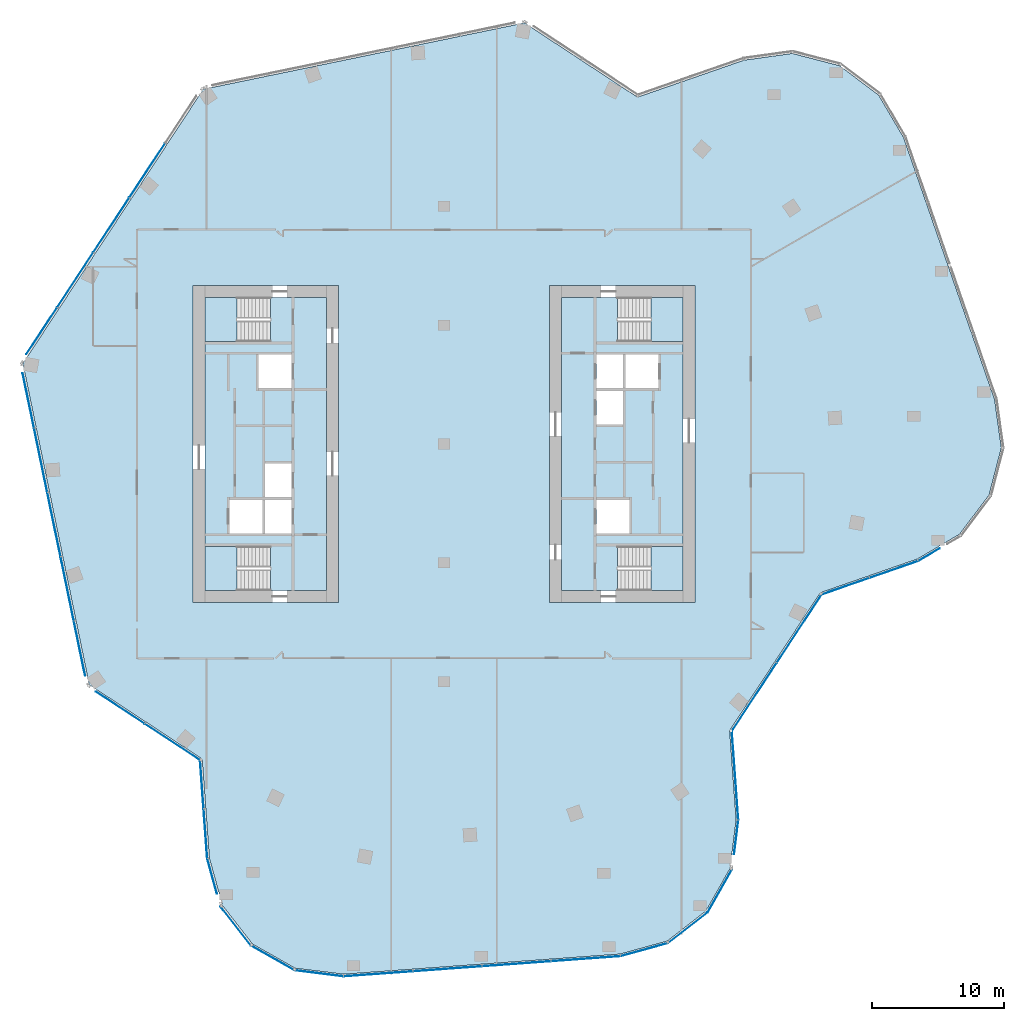
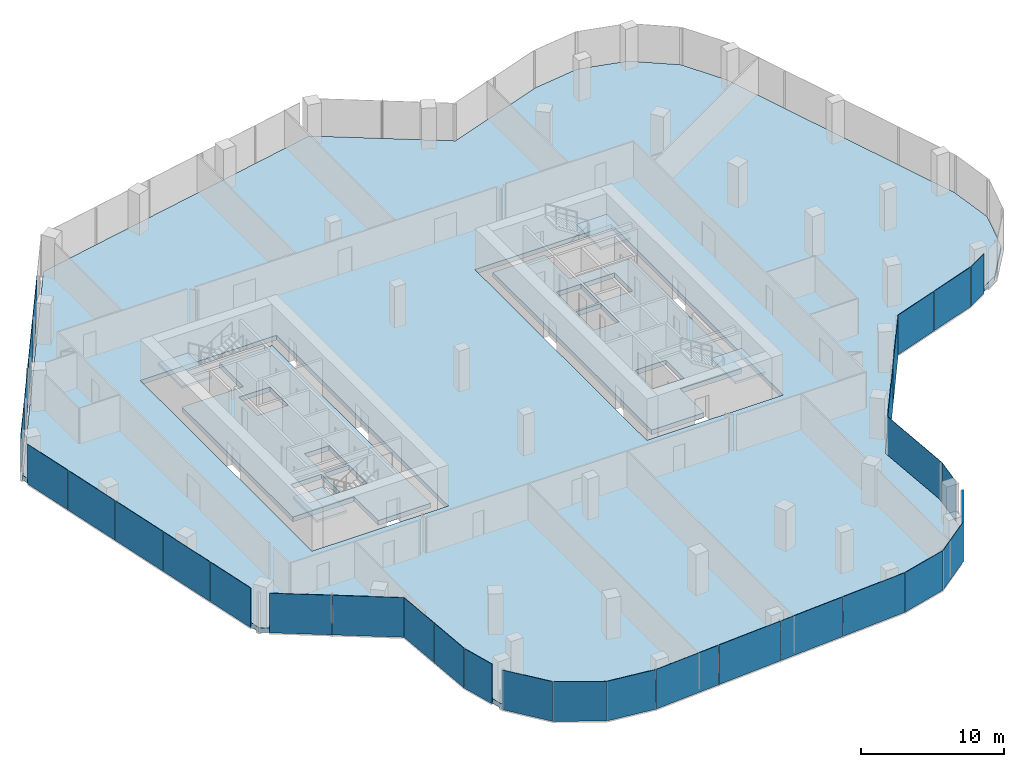
# One storey, part 16 of 24: 31 plates, 7 slabs, 21 elements without a shape of their own.
"""IFC4 building model written with IfcOpenShell, lengths in metres."""

from ifc_helpers import new_model, si_unit, direction, frame, origin, origin_2d, place, context, subcontext, project, spatial, polyline, rectangle, outline, extrude, material, layer, layer_set, type_object, element, aggregate, save


model = new_model("IFC4")

# Units and contexts
model_context = context("Model", 3, precision=1e-05, world=origin(), true_north=direction((0.0, 1.0)))
body_context = subcontext(model_context, "Body", "Model", "MODEL_VIEW")
ifc_project = project(units=[si_unit("LENGTHUNIT", "METRE"), si_unit("AREAUNIT", "SQUARE_METRE"), si_unit("VOLUMEUNIT", "CUBIC_METRE"), si_unit("PLANEANGLEUNIT", "RADIAN"), si_unit("MASSUNIT", "GRAM", prefix="KILO")], contexts=[model_context])

# Site, building, storey
site_placement = place(None, origin())
site = spatial("IfcSite", under=ifc_project, at=site_placement, CompositionType="ELEMENT")
building_placement = place(site_placement, origin())
building = spatial("IfcBuilding", under=site, at=building_placement, Name="Orlundy Tower", CompositionType="ELEMENT")
storey_placement = place(building_placement, frame((0.0, 0.0, 242.5)))
storey = spatial("IfcBuildingStorey", under=building, at=storey_placement, Name="L64", CompositionType="ELEMENT", Elevation=242.5)

# Curtain wall, plates
ifc_material_1 = material(Name="Aluminium bronze anodised", Category="aluminium")
curtain_wall_type = type_object("IfcCurtainWallType", Name="CW1 wall", PredefinedType="NOTDEFINED", material=ifc_material_1)
curtain_wall_1_placement = place(storey_placement, origin())
curtain_wall_1 = element("IfcCurtainWall", 1, at=curtain_wall_1_placement, inside=storey, type_object=curtain_wall_type, Name="CW1 run 00", PredefinedType="NOTDEFINED")
ifc_material_2 = material(Name="Tinted glass", Category="glass")
ifc_layer_1 = layer(ifc_material_2, 0.031982421875)
ifc_layer_set_1 = layer_set([ifc_layer_1], Name="CW1 glass panel 32")
plate_type = type_object("IfcPlateType", Name="CW1 glass panel 32", PredefinedType="CURTAIN_PANEL", material=ifc_layer_set_1)
plate_1_placement = place(storey_placement, frame((34.071044921875, -9.505126953125, -0.280029296875), z_axis=(0.0, 0.0, 1.0), x_axis=(-0.944599002584, -0.328226635601, 0.0)))
plate_1 = element("IfcPlate", 2, at=plate_1_placement, type_object=plate_type, Name="CW1 panel", PredefinedType="CURTAIN_PANEL", context=body_context, shape_type="SweptSolid", body=[
    extrude(rectangle(XDim=3.858154296875, YDim=0.031982421875, at=origin_2d()), origin(), (0.0, 0.0, 1.0), 3.3798828125),
])
plate_2_placement = place(storey_placement, frame((30.401611328125, -10.780029296875, -0.280029296875), z_axis=(0.0, 0.0, 1.0), x_axis=(-0.944599002584, -0.328226635601, 0.0)))
plate_2 = element("IfcPlate", 3, at=plate_2_placement, type_object=plate_type, Name="CW1 panel", PredefinedType="CURTAIN_PANEL", context=body_context, shape_type="SweptSolid", body=[
    extrude(rectangle(XDim=3.8115234375, YDim=0.031982421875, at=origin_2d()), origin(), (0.0, 0.0, 1.0), 3.3798828125),
])
aggregate(curtain_wall_1, [plate_1, plate_2])

curtain_wall_2_placement = place(storey_placement, origin())
curtain_wall_2 = element("IfcCurtainWall", 4, at=curtain_wall_2_placement, inside=storey, type_object=curtain_wall_type, Name="CW1 run 01", PredefinedType="NOTDEFINED")
plate_3_placement = place(storey_placement, frame((26.908447265625, -13.97998046875, -0.280029296875), z_axis=(0.0, 0.0, 1.0), x_axis=(-0.549495877226, -0.835496427827, 0.0)))
plate_3 = element("IfcPlate", 5, at=plate_3_placement, type_object=plate_type, Name="CW1 panel", PredefinedType="CURTAIN_PANEL", context=body_context, shape_type="SweptSolid", body=[
    extrude(rectangle(XDim=6.162353515625, YDim=0.031982421875, at=origin_2d()), origin(), (0.0, 0.0, 1.0), 3.3798828125),
])
plate_4_placement = place(storey_placement, frame((23.49462890625, -19.17041015625, -0.280029296875), z_axis=(0.0, 0.0, 1.0), x_axis=(-0.549495877226, -0.835496427827, 0.0)))
plate_4 = element("IfcPlate", 6, at=plate_4_placement, type_object=plate_type, Name="CW1 panel", PredefinedType="CURTAIN_PANEL", context=body_context, shape_type="SweptSolid", body=[
    extrude(rectangle(XDim=6.162353515625, YDim=0.031982421875, at=origin_2d()), origin(), (0.0, 0.0, 1.0), 3.3798828125),
])
aggregate(curtain_wall_2, [plate_3, plate_4])

# Curtain wall, plate
curtain_wall_3_placement = place(storey_placement, origin())
curtain_wall_3 = element("IfcCurtainWall", 7, at=curtain_wall_3_placement, inside=storey, type_object=curtain_wall_type, Name="CW1 run 02", PredefinedType="NOTDEFINED")
plate_5_placement = place(storey_placement, frame((22.045654296875, -25.095947265625, -0.280029296875), z_axis=(0.0, 0.0, 1.0), x_axis=(0.072660980026, -0.997356697467, 0.0)))
plate_5 = element("IfcPlate", 8, at=plate_5_placement, type_object=plate_type, Name="CW1 panel", PredefinedType="CURTAIN_PANEL", context=body_context, shape_type="SweptSolid", body=[
    extrude(rectangle(XDim=6.72021484375, YDim=0.031982421875, at=origin_2d()), origin(), (0.0, 0.0, 1.0), 3.3798828125),
])
aggregate(curtain_wall_3, [plate_5])

curtain_wall_4_placement = place(storey_placement, origin())
curtain_wall_4 = element("IfcCurtainWall", 9, at=curtain_wall_4_placement, inside=storey, type_object=curtain_wall_type, Name="CW1 run 03", PredefinedType="NOTDEFINED")
plate_6_placement = place(storey_placement, frame((22.12939453125, -29.779296875, -0.280029296875), z_axis=(0.0, 0.0, 1.0), x_axis=(-0.12330413281, -0.992368928792, 0.0)))
plate_6 = element("IfcPlate", 10, at=plate_6_placement, type_object=plate_type, Name="CW1 panel", PredefinedType="CURTAIN_PANEL", context=body_context, shape_type="SweptSolid", body=[
    extrude(rectangle(XDim=2.584228515625, YDim=0.031982421875, at=origin_2d()), origin(), (0.0, 0.0, 1.0), 3.3798828125),
])
aggregate(curtain_wall_4, [plate_6])

curtain_wall_5_placement = place(storey_placement, origin())
curtain_wall_5 = element("IfcCurtainWall", 11, at=curtain_wall_5_placement, inside=storey, type_object=curtain_wall_type, Name="CW1 run 04", PredefinedType="NOTDEFINED")
plate_7_placement = place(storey_placement, frame((20.897705078125, -33.83837890625, -0.280029296875), z_axis=(0.0, 0.0, 1.0), x_axis=(-0.493754430095, -0.869601381531, 0.0)))
plate_7 = element("IfcPlate", 12, at=plate_7_placement, type_object=plate_type, Name="CW1 panel", PredefinedType="CURTAIN_PANEL", context=body_context, shape_type="SweptSolid", body=[
    extrude(rectangle(XDim=3.771484375, YDim=0.031982421875, at=origin_2d()), origin(), (0.0, 0.0, 1.0), 3.3798828125),
])
aggregate(curtain_wall_5, [plate_7])

curtain_wall_6_placement = place(storey_placement, origin())
curtain_wall_6 = element("IfcCurtainWall", 13, at=curtain_wall_6_placement, inside=storey, type_object=curtain_wall_type, Name="CW1 run 05", PredefinedType="NOTDEFINED")
plate_8_placement = place(storey_placement, frame((18.478759765625, -36.637451171875, -0.280029296875), z_axis=(0.0, 0.0, 1.0), x_axis=(-0.788858043661, -0.614575452611, 0.0)))
plate_8 = element("IfcPlate", 14, at=plate_8_placement, type_object=plate_type, Name="CW1 panel", PredefinedType="CURTAIN_PANEL", context=body_context, shape_type="SweptSolid", body=[
    extrude(rectangle(XDim=3.77197265625, YDim=0.031982421875, at=origin_2d()), origin(), (0.0, 0.0, 1.0), 3.3798828125),
])
aggregate(curtain_wall_6, [plate_8])

curtain_wall_7_placement = place(storey_placement, origin())
curtain_wall_7 = element("IfcCurtainWall", 15, at=curtain_wall_7_placement, inside=storey, type_object=curtain_wall_type, Name="CW1 run 06", PredefinedType="NOTDEFINED")
plate_9_placement = place(storey_placement, frame((15.192626953125, -38.29248046875, -0.280029296875), z_axis=(0.0, 0.0, 1.0), x_axis=(-0.96398784948, -0.265946284152, 0.0)))
plate_9 = element("IfcPlate", 16, at=plate_9_placement, type_object=plate_type, Name="CW1 panel", PredefinedType="CURTAIN_PANEL", context=body_context, shape_type="SweptSolid", body=[
    extrude(rectangle(XDim=3.731201171875, YDim=0.031982421875, at=origin_2d()), origin(), (0.0, 0.0, 1.0), 3.3798828125),
])
aggregate(curtain_wall_7, [plate_9])

# Curtain wall, plates
curtain_wall_8_placement = place(storey_placement, origin())
curtain_wall_8 = element("IfcCurtainWall", 17, at=curtain_wall_8_placement, inside=storey, type_object=curtain_wall_type, Name="CW1 run 07", PredefinedType="NOTDEFINED")
plate_10_placement = place(storey_placement, frame((10.743896484375, -38.98681640625, -0.280029296875), z_axis=(0.0, 0.0, 1.0), x_axis=(-0.997356161969, -0.072668329988, 0.0)))
plate_10 = element("IfcPlate", 18, at=plate_10_placement, type_object=plate_type, Name="CW1 panel", PredefinedType="CURTAIN_PANEL", context=body_context, shape_type="SweptSolid", body=[
    extrude(rectangle(XDim=5.2158203125, YDim=0.031982421875, at=origin_2d()), origin(), (0.0, 0.0, 1.0), 3.3798828125),
])
plate_11_placement = place(storey_placement, frame((5.5, -39.368896484375, -0.280029296875), z_axis=(0.0, 0.0, 1.0), x_axis=(-0.997356161969, -0.072668329988, 0.0)))
plate_11 = element("IfcPlate", 19, at=plate_11_placement, type_object=plate_type, Name="CW1 panel", PredefinedType="CURTAIN_PANEL", context=body_context, shape_type="SweptSolid", body=[
    extrude(rectangle(XDim=5.199951171875, YDim=0.031982421875, at=origin_2d()), origin(), (0.0, 0.0, 1.0), 3.3798828125),
])
plate_12_placement = place(storey_placement, frame((0.263916015625, -39.750244140625, -0.280029296875), z_axis=(0.0, 0.0, 1.0), x_axis=(-0.997356161969, -0.072668329988, 0.0)))
plate_12 = element("IfcPlate", 20, at=plate_12_placement, type_object=plate_type, Name="CW1 panel", PredefinedType="CURTAIN_PANEL", context=body_context, shape_type="SweptSolid", body=[
    extrude(rectangle(XDim=5.199951171875, YDim=0.031982421875, at=origin_2d()), origin(), (0.0, 0.0, 1.0), 3.3798828125),
])
plate_13_placement = place(storey_placement, frame((-4.97998046875, -40.13232421875, -0.280029296875), z_axis=(0.0, 0.0, 1.0), x_axis=(-0.997356161969, -0.072668329988, 0.0)))
plate_13 = element("IfcPlate", 21, at=plate_13_placement, type_object=plate_type, Name="CW1 panel", PredefinedType="CURTAIN_PANEL", context=body_context, shape_type="SweptSolid", body=[
    extrude(rectangle(XDim=5.2158203125, YDim=0.031982421875, at=origin_2d()), origin(), (0.0, 0.0, 1.0), 3.3798828125),
])
aggregate(curtain_wall_8, [plate_10, plate_11, plate_12, plate_13])

# Curtain wall, plate
curtain_wall_9_placement = place(storey_placement, origin())
curtain_wall_9 = element("IfcCurtainWall", 22, at=curtain_wall_9_placement, inside=storey, type_object=curtain_wall_type, Name="CW1 run 08", PredefinedType="NOTDEFINED")
plate_14_placement = place(storey_placement, frame((-9.482421875, -40.090087890625, -0.280029296875), z_axis=(0.0, 0.0, 1.0), x_axis=(-0.992339997357, 0.123536754229, 0.0)))
plate_14 = element("IfcPlate", 23, at=plate_14_placement, type_object=plate_type, Name="CW1 panel", PredefinedType="CURTAIN_PANEL", context=body_context, shape_type="SweptSolid", body=[
    extrude(rectangle(XDim=3.73095703125, YDim=0.031982421875, at=origin_2d()), origin(), (0.0, 0.0, 1.0), 3.3798828125),
])
aggregate(curtain_wall_9, [plate_14])

curtain_wall_10_placement = place(storey_placement, origin())
curtain_wall_10 = element("IfcCurtainWall", 24, at=curtain_wall_10_placement, inside=storey, type_object=curtain_wall_type, Name="CW1 run 09", PredefinedType="NOTDEFINED")
plate_15_placement = place(storey_placement, frame((-12.973388671875, -38.9287109375, -0.280029296875), z_axis=(0.0, 0.0, 1.0), x_axis=(-0.869601381531, 0.493754430095, 0.0)))
plate_15 = element("IfcPlate", 25, at=plate_15_placement, type_object=plate_type, Name="CW1 panel", PredefinedType="CURTAIN_PANEL", context=body_context, shape_type="SweptSolid", body=[
    extrude(rectangle(XDim=3.771484375, YDim=0.031982421875, at=origin_2d()), origin(), (0.0, 0.0, 1.0), 3.3798828125),
])
aggregate(curtain_wall_10, [plate_15])

curtain_wall_11_placement = place(storey_placement, origin())
curtain_wall_11 = element("IfcCurtainWall", 26, at=curtain_wall_11_placement, inside=storey, type_object=curtain_wall_type, Name="CW1 run 010", PredefinedType="NOTDEFINED")
plate_16_placement = place(storey_placement, frame((-15.7724609375, -36.509765625, -0.280029296875), z_axis=(0.0, 0.0, 1.0), x_axis=(-0.614575452611, 0.788858043661, 0.0)))
plate_16 = element("IfcPlate", 27, at=plate_16_placement, type_object=plate_type, Name="CW1 panel", PredefinedType="CURTAIN_PANEL", context=body_context, shape_type="SweptSolid", body=[
    extrude(rectangle(XDim=3.77197265625, YDim=0.031982421875, at=origin_2d()), origin(), (0.0, 0.0, 1.0), 3.3798828125),
])
aggregate(curtain_wall_11, [plate_16])

curtain_wall_12_placement = place(storey_placement, origin())
curtain_wall_12 = element("IfcCurtainWall", 28, at=curtain_wall_12_placement, inside=storey, type_object=curtain_wall_type, Name="CW1 run 011", PredefinedType="NOTDEFINED")
plate_17_placement = place(storey_placement, frame((-17.559814453125, -32.742431640625, -0.280029296875), z_axis=(0.0, 0.0, 1.0), x_axis=(-0.265764722051, 0.964037920682, 0.0)))
plate_17 = element("IfcPlate", 29, at=plate_17_placement, type_object=plate_type, Name="CW1 panel", PredefinedType="CURTAIN_PANEL", context=body_context, shape_type="SweptSolid", body=[
    extrude(rectangle(XDim=2.730712890625, YDim=0.031982421875, at=origin_2d()), origin(), (0.0, 0.0, 1.0), 3.3798828125),
])
aggregate(curtain_wall_12, [plate_17])

# Curtain wall, plates
curtain_wall_13_placement = place(storey_placement, origin())
curtain_wall_13 = element("IfcCurtainWall", 30, at=curtain_wall_13_placement, inside=storey, type_object=curtain_wall_type, Name="CW1 run 012", PredefinedType="NOTDEFINED")
plate_18_placement = place(storey_placement, frame((-18.06689453125, -29.515625, -0.280029296875), z_axis=(0.0, 0.0, 1.0), x_axis=(-0.072746976548, 0.997350428587, 0.0)))
plate_18 = element("IfcPlate", 31, at=plate_18_placement, type_object=plate_type, Name="CW1 panel", PredefinedType="CURTAIN_PANEL", context=body_context, shape_type="SweptSolid", body=[
    extrude(rectangle(XDim=3.732421875, YDim=0.031982421875, at=origin_2d()), origin(), (0.0, 0.0, 1.0), 3.3798828125),
])
plate_19_placement = place(storey_placement, frame((-18.339599609375, -25.779052734375, -0.280029296875), z_axis=(0.0, 0.0, 1.0), x_axis=(-0.072746976548, 0.997350428587, 0.0)))
plate_19 = element("IfcPlate", 32, at=plate_19_placement, type_object=plate_type, Name="CW1 panel", PredefinedType="CURTAIN_PANEL", context=body_context, shape_type="SweptSolid", body=[
    extrude(rectangle(XDim=3.66064453125, YDim=0.031982421875, at=origin_2d()), origin(), (0.0, 0.0, 1.0), 3.3798828125),
])
aggregate(curtain_wall_13, [plate_18, plate_19])

curtain_wall_14_placement = place(storey_placement, origin())
curtain_wall_14 = element("IfcCurtainWall", 33, at=curtain_wall_14_placement, inside=storey, type_object=curtain_wall_type, Name="CW1 run 013", PredefinedType="NOTDEFINED")
plate_20_placement = place(storey_placement, frame((-20.56640625, -22.576416015625, -0.280029296875), z_axis=(0.0, 0.0, 1.0), x_axis=(-0.835476099694, 0.54952678446, 0.0)))
plate_20 = element("IfcPlate", 34, at=plate_20_placement, type_object=plate_type, Name="CW1 panel", PredefinedType="CURTAIN_PANEL", context=body_context, shape_type="SweptSolid", body=[
    extrude(rectangle(XDim=5.01220703125, YDim=0.031982421875, at=origin_2d()), origin(), (0.0, 0.0, 1.0), 3.3798828125),
])
plate_21_placement = place(storey_placement, frame((-24.5302734375, -19.96923828125, -0.280029296875), z_axis=(0.0, 0.0, 1.0), x_axis=(-0.835476099694, 0.54952678446, 0.0)))
plate_21 = element("IfcPlate", 35, at=plate_21_placement, type_object=plate_type, Name="CW1 panel", PredefinedType="CURTAIN_PANEL", context=body_context, shape_type="SweptSolid", body=[
    extrude(rectangle(XDim=4.376708984375, YDim=0.031982421875, at=origin_2d()), origin(), (0.0, 0.0, 1.0), 3.3798828125),
])
aggregate(curtain_wall_14, [plate_20, plate_21])

curtain_wall_15_placement = place(storey_placement, origin())
curtain_wall_15 = element("IfcCurtainWall", 36, at=curtain_wall_15_placement, inside=storey, type_object=curtain_wall_type, Name="CW1 run 014", PredefinedType="NOTDEFINED")
plate_22_placement = place(storey_placement, frame((-27.60009765625, -15.496337890625, -0.280029296875), z_axis=(0.0, 0.0, 1.0), x_axis=(-0.202233038095, 0.979337428215, 0.0)))
plate_22 = element("IfcPlate", 37, at=plate_22_placement, type_object=plate_type, Name="CW1 panel", PredefinedType="CURTAIN_PANEL", context=body_context, shape_type="SweptSolid", body=[
    extrude(rectangle(XDim=4.228271484375, YDim=0.031982421875, at=origin_2d()), origin(), (0.0, 0.0, 1.0), 3.3798828125),
])
plate_23_placement = place(storey_placement, frame((-28.535400390625, -10.967529296875, -0.280029296875), z_axis=(0.0, 0.0, 1.0), x_axis=(-0.202233038095, 0.979337428215, 0.0)))
plate_23 = element("IfcPlate", 38, at=plate_23_placement, type_object=plate_type, Name="CW1 panel", PredefinedType="CURTAIN_PANEL", context=body_context, shape_type="SweptSolid", body=[
    extrude(rectangle(XDim=4.92041015625, YDim=0.031982421875, at=origin_2d()), origin(), (0.0, 0.0, 1.0), 3.3798828125),
])
plate_24_placement = place(storey_placement, frame((-29.54052734375, -6.099609375, -0.280029296875), z_axis=(0.0, 0.0, 1.0), x_axis=(-0.202233038095, 0.979337428215, 0.0)))
plate_24 = element("IfcPlate", 39, at=plate_24_placement, type_object=plate_type, Name="CW1 panel", PredefinedType="CURTAIN_PANEL", context=body_context, shape_type="SweptSolid", body=[
    extrude(rectangle(XDim=4.92041015625, YDim=0.031982421875, at=origin_2d()), origin(), (0.0, 0.0, 1.0), 3.3798828125),
])
plate_25_placement = place(storey_placement, frame((-30.5458984375, -1.23193359375, -0.280029296875), z_axis=(0.0, 0.0, 1.0), x_axis=(-0.202233038095, 0.979337428215, 0.0)))
plate_25 = element("IfcPlate", 40, at=plate_25_placement, type_object=plate_type, Name="CW1 panel", PredefinedType="CURTAIN_PANEL", context=body_context, shape_type="SweptSolid", body=[
    extrude(rectangle(XDim=4.92041015625, YDim=0.031982421875, at=origin_2d()), origin(), (0.0, 0.0, 1.0), 3.3798828125),
])
plate_26_placement = place(storey_placement, frame((-31.48095703125, 3.297119140625, -0.280029296875), z_axis=(0.0, 0.0, 1.0), x_axis=(-0.202233038095, 0.979337428215, 0.0)))
plate_26 = element("IfcPlate", 41, at=plate_26_placement, type_object=plate_type, Name="CW1 panel", PredefinedType="CURTAIN_PANEL", context=body_context, shape_type="SweptSolid", body=[
    extrude(rectangle(XDim=4.228759765625, YDim=0.031982421875, at=origin_2d()), origin(), (0.0, 0.0, 1.0), 3.3798828125),
])
aggregate(curtain_wall_15, [plate_22, plate_23, plate_24, plate_25, plate_26])

curtain_wall_16_placement = place(storey_placement, origin())
curtain_wall_16 = element("IfcCurtainWall", 42, at=curtain_wall_16_placement, inside=storey, type_object=curtain_wall_type, Name="CW1 run 015", PredefinedType="NOTDEFINED")
plate_27_placement = place(storey_placement, frame((-30.47412109375, 8.55859375, -0.280029296875), z_axis=(0.0, 0.0, 1.0), x_axis=(0.5495174705, 0.835482225793, 0.0)))
plate_27 = element("IfcPlate", 43, at=plate_27_placement, type_object=plate_type, Name="CW1 panel", PredefinedType="CURTAIN_PANEL", context=body_context, shape_type="SweptSolid", body=[
    extrude(rectangle(XDim=4.228759765625, YDim=0.031982421875, at=origin_2d()), origin(), (0.0, 0.0, 1.0), 3.3798828125),
])
plate_28_placement = place(storey_placement, frame((-27.932861328125, 12.42236328125, -0.280029296875), z_axis=(0.0, 0.0, 1.0), x_axis=(0.5495174705, 0.835482225793, 0.0)))
plate_28 = element("IfcPlate", 44, at=plate_28_placement, type_object=plate_type, Name="CW1 panel", PredefinedType="CURTAIN_PANEL", context=body_context, shape_type="SweptSolid", body=[
    extrude(rectangle(XDim=4.920654296875, YDim=0.031982421875, at=origin_2d()), origin(), (0.0, 0.0, 1.0), 3.3798828125),
])
plate_29_placement = place(storey_placement, frame((-25.201416015625, 16.5751953125, -0.280029296875), z_axis=(0.0, 0.0, 1.0), x_axis=(0.5495174705, 0.835482225793, 0.0)))
plate_29 = element("IfcPlate", 45, at=plate_29_placement, type_object=plate_type, Name="CW1 panel", PredefinedType="CURTAIN_PANEL", context=body_context, shape_type="SweptSolid", body=[
    extrude(rectangle(XDim=4.920654296875, YDim=0.031982421875, at=origin_2d()), origin(), (0.0, 0.0, 1.0), 3.3798828125),
])
plate_30_placement = place(storey_placement, frame((-22.47021484375, 20.72802734375, -0.280029296875), z_axis=(0.0, 0.0, 1.0), x_axis=(0.5495174705, 0.835482225793, 0.0)))
plate_30 = element("IfcPlate", 46, at=plate_30_placement, type_object=plate_type, Name="CW1 panel", PredefinedType="CURTAIN_PANEL", context=body_context, shape_type="SweptSolid", body=[
    extrude(rectangle(XDim=4.920654296875, YDim=0.031982421875, at=origin_2d()), origin(), (0.0, 0.0, 1.0), 3.3798828125),
])
aggregate(curtain_wall_16, [plate_27, plate_28, plate_29, plate_30])

# Curtain wall, plate
curtain_wall_17_placement = place(storey_placement, origin())
curtain_wall_17 = element("IfcCurtainWall", 47, at=curtain_wall_17_placement, inside=storey, type_object=curtain_wall_type, Name="CW1 run 027", PredefinedType="NOTDEFINED")
plate_31_placement = place(storey_placement, frame((36.74658203125, -8.37646484375, -0.280029296875), z_axis=(0.0, 0.0, 1.0), x_axis=(-0.862287730604, -0.506418670322, 0.0)))
plate_31 = element("IfcPlate", 48, at=plate_31_placement, type_object=plate_type, Name="CW1 panel", PredefinedType="CURTAIN_PANEL", context=body_context, shape_type="SweptSolid", body=[
    extrude(rectangle(XDim=1.873779296875, YDim=0.031982421875, at=origin_2d()), origin(), (0.0, 0.0, 1.0), 3.3798828125),
])
aggregate(curtain_wall_17, [plate_31])

# Slabs
ifc_material_3 = material(Name="Concrete C50/60", Category="concrete")
ifc_layer_2 = layer(ifc_material_3, 0.409912109375)
ifc_layer_set_2 = layer_set([ifc_layer_2], Name="Core Floor Slab 410")
slab_type_1 = type_object("IfcSlabType", Name="Core Floor Slab 410", PredefinedType="FLOOR", material=ifc_layer_set_2)
slab_1_placement = place(storey_placement, frame((0.0, 0.0, -0.409912109375)))
element("IfcSlab", 49, at=slab_1_placement, inside=storey, type_object=slab_type_1, Name="Core floor W48", PredefinedType="FLOOR", context=body_context, shape_type="SweptSolid", body=[
    extrude(outline(polyline([(-18.10009765625, 7.75), (-13.14501953125, 7.75), (-13.14501953125, 11.10009765625), (-8.89990234375, 11.10009765625), (-8.89990234375, -11.10009765625), (-13.14501953125, -11.10009765625), (-13.14501953125, -7.75), (-18.10009765625, -7.75), (-18.10009765625, 7.75)]), holes=[polyline([(-13.5400390625, -4.22509765625), (-13.5400390625, -6.77490234375), (-11.5400390625, -6.77490234375), (-11.5400390625, -4.22509765625), (-13.5400390625, -4.22509765625)]), polyline([(-13.739990234375, -4.22509765625), (-16.239990234375, -4.22509765625), (-16.239990234375, -6.77490234375), (-13.739990234375, -6.77490234375), (-13.739990234375, -4.22509765625)]), polyline([(-11.5400390625, -4.02490234375), (-11.5400390625, -1.47509765625), (-13.5400390625, -1.47509765625), (-13.5400390625, -4.02490234375), (-11.5400390625, -4.02490234375)]), polyline([(-14.0400390625, 4.22509765625), (-11.5400390625, 4.22509765625), (-11.5400390625, 6.77490234375), (-14.0400390625, 6.77490234375), (-14.0400390625, 4.22509765625)])]), origin(), (0.0, 0.0, 1.0), 0.409912109375),
])
slab_2_placement = place(storey_placement, frame((0.0, 0.0, -0.409912109375)))
element("IfcSlab", 50, at=slab_2_placement, inside=storey, type_object=slab_type_1, Name="Core floor E48", PredefinedType="FLOOR", context=body_context, shape_type="SweptSolid", body=[
    extrude(outline(polyline([(18.10009765625, -7.75), (13.14501953125, -7.75), (13.14501953125, -11.10009765625), (8.89990234375, -11.10009765625), (8.89990234375, 11.10009765625), (13.14501953125, 11.10009765625), (13.14501953125, 7.75), (18.10009765625, 7.75), (18.10009765625, -7.75)]), holes=[polyline([(13.5400390625, 4.22509765625), (13.5400390625, 6.77490234375), (11.5400390625, 6.77490234375), (11.5400390625, 4.22509765625), (13.5400390625, 4.22509765625)]), polyline([(13.739990234375, 4.22509765625), (16.239990234375, 4.22509765625), (16.239990234375, 6.77490234375), (13.739990234375, 6.77490234375), (13.739990234375, 4.22509765625)]), polyline([(11.5400390625, 4.02490234375), (11.5400390625, 1.47509765625), (13.5400390625, 1.47509765625), (13.5400390625, 4.02490234375), (11.5400390625, 4.02490234375)]), polyline([(14.0400390625, -4.22509765625), (11.5400390625, -4.22509765625), (11.5400390625, -6.77490234375), (14.0400390625, -6.77490234375), (14.0400390625, -4.22509765625)])]), origin(), (0.0, 0.0, 1.0), 0.409912109375),
])

# Stair, slab
ifc_material_4 = material(Name="Concrete C50/60", Category="concrete")
stair_type = type_object("IfcStairType", Name="Exit Stair 20 risers", PredefinedType="HALF_TURN_STAIR", material=ifc_material_4)
stair_1_placement = place(storey_placement, origin())
stair_1 = element("IfcStair", 51, at=stair_1_placement, inside=storey, type_object=stair_type, Name="L64 Exit Stair ST-W1", PredefinedType="HALF_TURN_STAIR")
ifc_material_5 = material(Name="Concrete C50/60", Category="concrete")
ifc_layer_3 = layer(ifc_material_5, 0.199951171875)
ifc_layer_set_3 = layer_set([ifc_layer_3], Name="Exit Stair Landing")
slab_type_2 = type_object("IfcSlabType", Name="Exit Stair Landing", PredefinedType="LANDING", material=ifc_layer_set_3)
slab_3_placement = place(storey_placement, frame((0.0, 0.0, 1.550048828125)))
slab_3 = element("IfcSlab", 52, at=slab_3_placement, type_object=slab_type_2, Name="ST-W1 landing 1", PredefinedType="LANDING", context=body_context, shape_type="SweptSolid", body=[
    extrude(outline(polyline([(-15.659912109375, 11.10009765625), (-18.10009765625, 11.10009765625), (-18.10009765625, 7.75), (-15.659912109375, 7.75), (-15.659912109375, 11.10009765625)])), origin(), (0.0, 0.0, 1.0), 0.199951171875),
])
aggregate(stair_1, [slab_3])

stair_2_placement = place(storey_placement, origin())
stair_2 = element("IfcStair", 53, at=stair_2_placement, inside=storey, type_object=stair_type, Name="L64 Exit Stair ST-W2", PredefinedType="HALF_TURN_STAIR")
slab_4_placement = place(storey_placement, frame((0.0, 0.0, 1.550048828125)))
slab_4 = element("IfcSlab", 54, at=slab_4_placement, type_object=slab_type_2, Name="ST-W2 landing 1", PredefinedType="LANDING", context=body_context, shape_type="SweptSolid", body=[
    extrude(outline(polyline([(-15.659912109375, -7.75), (-18.10009765625, -7.75), (-18.10009765625, -11.10009765625), (-15.659912109375, -11.10009765625), (-15.659912109375, -7.75)])), origin(), (0.0, 0.0, 1.0), 0.199951171875),
])
aggregate(stair_2, [slab_4])

stair_3_placement = place(storey_placement, origin())
stair_3 = element("IfcStair", 55, at=stair_3_placement, inside=storey, type_object=stair_type, Name="L64 Exit Stair ST-E1", PredefinedType="HALF_TURN_STAIR")
slab_5_placement = place(storey_placement, frame((0.0, 0.0, 1.550048828125)))
slab_5 = element("IfcSlab", 56, at=slab_5_placement, type_object=slab_type_2, Name="ST-E1 landing 1", PredefinedType="LANDING", context=body_context, shape_type="SweptSolid", body=[
    extrude(outline(polyline([(15.659912109375, -11.10009765625), (18.10009765625, -11.10009765625), (18.10009765625, -7.75), (15.659912109375, -7.75), (15.659912109375, -11.10009765625)])), origin(), (0.0, 0.0, 1.0), 0.199951171875),
])
aggregate(stair_3, [slab_5])

stair_4_placement = place(storey_placement, origin())
stair_4 = element("IfcStair", 57, at=stair_4_placement, inside=storey, type_object=stair_type, Name="L64 Exit Stair ST-E2", PredefinedType="HALF_TURN_STAIR")
slab_6_placement = place(storey_placement, frame((0.0, 0.0, 1.550048828125)))
slab_6 = element("IfcSlab", 58, at=slab_6_placement, type_object=slab_type_2, Name="ST-E2 landing 1", PredefinedType="LANDING", context=body_context, shape_type="SweptSolid", body=[
    extrude(outline(polyline([(15.659912109375, 7.75), (18.10009765625, 7.75), (18.10009765625, 11.10009765625), (15.659912109375, 11.10009765625), (15.659912109375, 7.75)])), origin(), (0.0, 0.0, 1.0), 0.199951171875),
])
aggregate(stair_4, [slab_6])

# Slab
ifc_material_6 = material(Name="Concrete C45/55", Category="concrete")
ifc_layer_4 = layer(ifc_material_6, 0.39990234375)
ifc_layer_set_4 = layer_set([ifc_layer_4], Name="FLOOR SLAB THICK 400 C45/55")
slab_type_3 = type_object("IfcSlabType", Name="FLOOR SLAB THICK 400 C45/55", PredefinedType="FLOOR", material=ifc_layer_set_4)
slab_7_placement = place(storey_placement, frame((0.0, 0.0, -0.39990234375)))
element("IfcSlab", 59, at=slab_7_placement, inside=storey, type_object=slab_type_3, Name="Floor slab L64", PredefinedType="FLOOR", context=body_context, shape_type="SweptSolid", body=[
    extrude(outline(polyline([(28.4951171875, -11.26904296875), (21.634033203125, -21.700927734375), (22.126953125, -28.468017578125), (21.669921875, -32.14599609375), (19.840087890625, -35.368896484375), (16.916015625, -37.64697265625), (13.342041015625, -38.633056640625), (-7.60205078125, -40.158935546875), (-11.281005859375, -39.700927734375), (-14.50390625, -37.87109375), (-16.781982421875, -34.947021484375), (-17.76708984375, -31.3740234375), (-18.31494140625, -23.861083984375), (-26.866943359375, -18.236083984375), (-31.89306640625, 6.10302734375), (-18.236083984375, 26.866943359375), (6.10302734375, 31.89306640625), (14.656005859375, 26.26806640625), (22.715087890625, 29.069091796875), (26.386962890625, 29.580078125), (29.97412109375, 28.64599609375), (32.930908203125, 26.410888671875), (34.80810546875, 23.215087890625), (41.701904296875, 3.37890625), (42.212890625, -0.29296875), (41.280029296875, -3.8798828125), (39.0439453125, -6.8369140625), (35.847900390625, -8.714111328125), (28.4951171875, -11.26904296875)]), holes=[polyline([(-8.0, -12.0), (-8.0, 12.0), (-19.0, 12.0), (-19.0, -12.0), (-8.0, -12.0)]), polyline([(19.0, -12.0), (19.0, 12.0), (8.0, 12.0), (8.0, -12.0), (19.0, -12.0)])]), origin(), (0.0, 0.0, 1.0), 0.39990234375),
])

save(model, "model.ifc")
